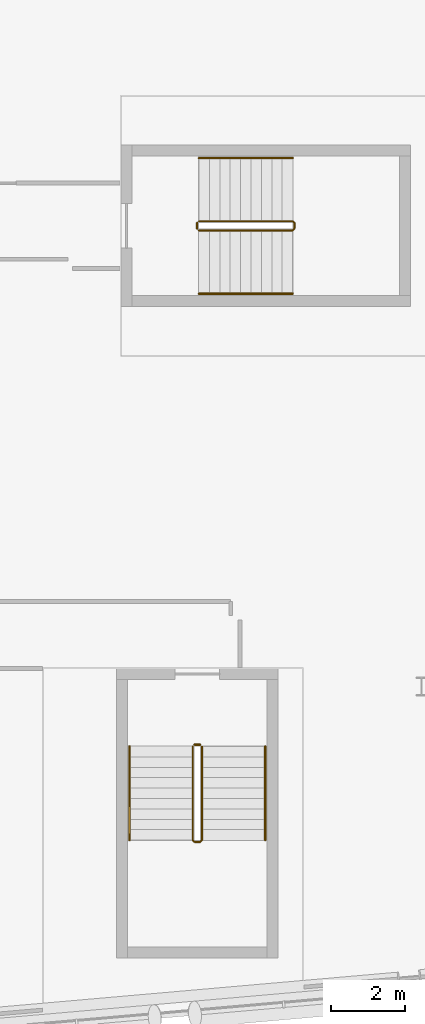
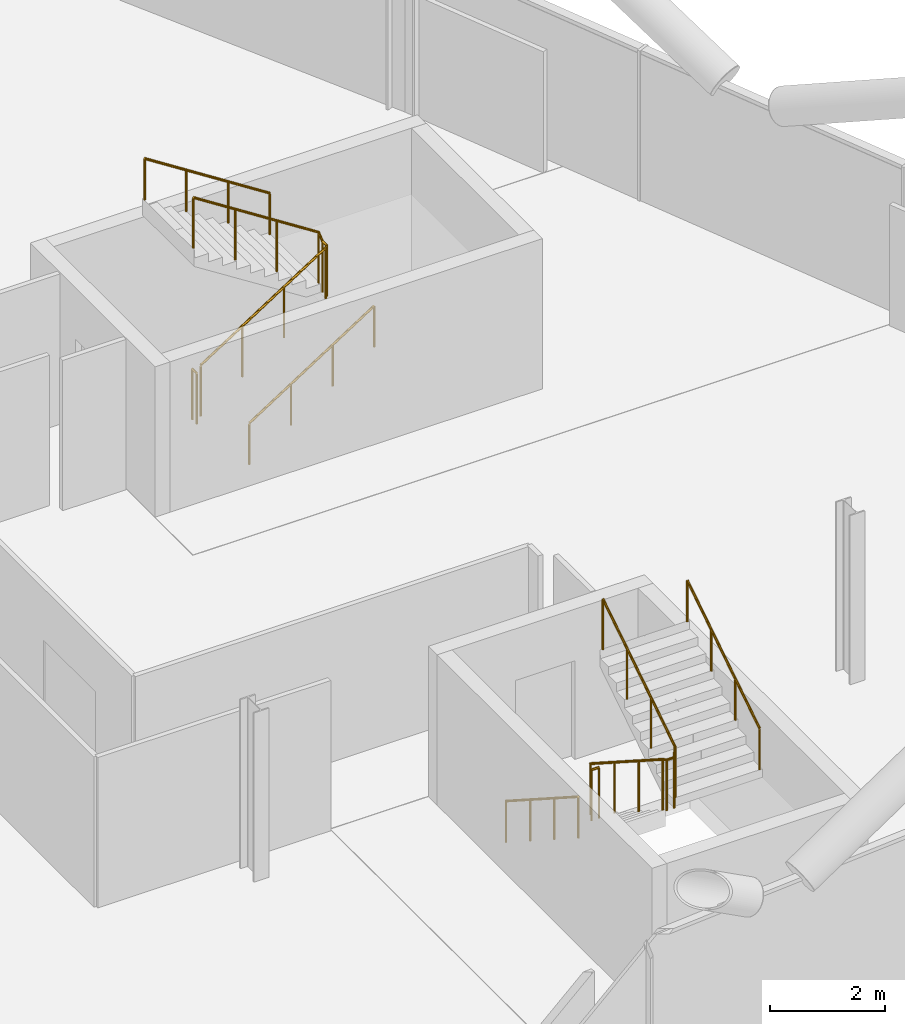
# One storey, part 25 of 26: 8 railings.
"""IFC4 building model written with IfcOpenShell, lengths in metres."""

from ifc_helpers import new_model, si_unit, direction, frame, origin, origin_2d, place, context, subcontext, project, spatial, circle, extrude, material, type_object, element, save


model = new_model("IFC4")

# Units and contexts
model_context = context("Model", 3, precision=1e-05, world=origin(), true_north=direction((0.0, 1.0)))
body_context = subcontext(model_context, "Body", "Model", "MODEL_VIEW")
ifc_project = project(units=[si_unit("LENGTHUNIT", "METRE"), si_unit("AREAUNIT", "SQUARE_METRE"), si_unit("VOLUMEUNIT", "CUBIC_METRE"), si_unit("PLANEANGLEUNIT", "RADIAN"), si_unit("MASSUNIT", "GRAM", prefix="KILO")], contexts=[model_context])

# Site, building, storey
site_placement = place(None, origin())
site = spatial("IfcSite", under=ifc_project, at=site_placement, CompositionType="ELEMENT")
building_placement = place(site_placement, origin())
building = spatial("IfcBuilding", under=site, at=building_placement, Name="Wharfspan Tower", CompositionType="ELEMENT")
storey_placement = place(building_placement, frame((0.0, 0.0, 180.699951)))
storey = spatial("IfcBuildingStorey", under=building, at=storey_placement, Name="L44", CompositionType="ELEMENT", Elevation=180.699951)

# Railings
ifc_material = material(Name="Steel S355J2", Category="steel")
railing_type_1 = type_object("IfcRailingType", Name="Stair guard 1100", PredefinedType="GUARDRAIL", material=ifc_material)
railing_1_placement = place(storey_placement, frame((65.836426, 9.883789, 0.179932)))
element("IfcRailing", 1, at=railing_1_placement, inside=storey, type_object=railing_type_1, Name="L44 ST5 stair guard 1", PredefinedType="GUARDRAIL", context=body_context, shape_type="SweptSolid", body=[
    extrude(circle(Radius=0.023926, at=origin_2d()), frame((0.0, 0.0, 1.076172), z_axis=(0.0, -0.841163, 0.540782), x_axis=(1.0, 0.0, 0.0)), (0.0, 0.0, 1.0), 2.99585),
    extrude(circle(Radius=0.023926, at=origin_2d()), frame((0.0, -2.52002, 2.696289), z_axis=(0.705376, -0.708834, 0.0), x_axis=(0.708834, 0.705376, 0.0)), (0.0, 0.0, 1.0), 0.070557),
    extrude(circle(Radius=0.023926, at=origin_2d()), frame((0.049805, -2.570068, 2.696289), z_axis=(1.0, 0.0, 0.0), x_axis=(0.0, 1.0, 0.0)), (0.0, 0.0, 1.0), 0.150146),
    extrude(circle(Radius=0.023926, at=origin_2d()), frame((0.199951, -2.570068, 2.696289), z_axis=(0.258848, 0.258848, 0.930589), x_axis=(-0.707107, 0.707107, 0.0)), (0.0, 0.0, 1.0), 0.193359),
    extrude(circle(Radius=0.023926, at=origin_2d()), frame((0.25, -2.52002, 2.875977), z_axis=(0.0, 0.841163, 0.540782), x_axis=(-1.0, 0.0, 0.0)), (0.0, 0.0, 1.0), 2.99585),
    extrude(circle(Radius=0.020996, at=origin_2d()), origin(), (0.0, 0.0, 1.0), 1.052002),
    extrude(circle(Radius=0.020996, at=origin_2d()), frame((0.0, -0.840088, 0.540039)), (0.0, 0.0, 1.0), 1.052002),
    extrude(circle(Radius=0.020996, at=origin_2d()), frame((0.0, -1.679932, 1.080078)), (0.0, 0.0, 1.0), 1.052002),
    extrude(circle(Radius=0.020996, at=origin_2d()), frame((0.0, -2.52002, 1.620117)), (0.0, 0.0, 1.0), 1.052002),
    extrude(circle(Radius=0.020996, at=origin_2d()), frame((0.049805, -2.570068, 1.620117)), (0.0, 0.0, 1.0), 1.052002),
    extrude(circle(Radius=0.020996, at=origin_2d()), frame((0.199951, -2.570068, 1.620117)), (0.0, 0.0, 1.0), 1.052002),
    extrude(circle(Radius=0.020996, at=origin_2d()), frame((0.25, -2.52002, 1.800049)), (0.0, 0.0, 1.0), 1.052002),
    extrude(circle(Radius=0.020996, at=origin_2d()), frame((0.25, -1.679932, 2.340088)), (0.0, 0.0, 1.0), 1.052002),
    extrude(circle(Radius=0.020996, at=origin_2d()), frame((0.25, -0.840088, 2.880127)), (0.0, 0.0, 1.0), 1.052002),
    extrude(circle(Radius=0.020996, at=origin_2d()), frame((0.25, 0.0, 3.420166)), (0.0, 0.0, 1.0), 1.052002),
])
railing_2_placement = place(storey_placement, frame((65.88623, 9.933594, 0.0)))
element("IfcRailing", 2, at=railing_2_placement, inside=storey, type_object=railing_type_1, Name="L44 ST5 stair guard 2", PredefinedType="GUARDRAIL", context=body_context, shape_type="SweptSolid", body=[
    extrude(circle(Radius=0.023926, at=origin_2d()), frame((0.0, 0.0, 1.076172), z_axis=(1.0, 0.0, 0.0), x_axis=(0.0, 1.0, 0.0)), (0.0, 0.0, 1.0), 0.150146),
    extrude(circle(Radius=0.020996, at=origin_2d()), origin(), (0.0, 0.0, 1.0), 1.052002),
    extrude(circle(Radius=0.020996, at=origin_2d()), frame((0.150146, 0.0, 0.0)), (0.0, 0.0, 1.0), 1.052002),
])
railing_3_placement = place(storey_placement, frame((66.004639, 23.774902, 0.179932)))
element("IfcRailing", 3, at=railing_3_placement, inside=storey, type_object=railing_type_1, Name="L44 ST6 stair guard 1", PredefinedType="GUARDRAIL", context=body_context, shape_type="SweptSolid", body=[
    extrude(circle(Radius=0.023926, at=origin_2d()), frame((0.0, 0.0, 1.076172), z_axis=(0.841163, 0.0, 0.540782), x_axis=(0.0, 1.0, 0.0)), (0.0, 0.0, 1.0), 2.99585),
    extrude(circle(Radius=0.023926, at=origin_2d()), frame((2.52002, 0.0, 2.696289), z_axis=(0.707107, 0.707107, 0.0), x_axis=(-0.707107, 0.707107, 0.0)), (0.0, 0.0, 1.0), 0.070801),
    extrude(circle(Radius=0.023926, at=origin_2d()), frame((2.570068, 0.050049, 2.696289), z_axis=(0.0, 1.0, 0.0), x_axis=(-1.0, 0.0, 0.0)), (0.0, 0.0, 1.0), 0.150146),
    extrude(circle(Radius=0.023926, at=origin_2d()), frame((2.570068, 0.200195, 2.696289), z_axis=(-0.258932, 0.257669, 0.930892), x_axis=(-0.705372, -0.708833, 1e-06)), (0.0, 0.0, 1.0), 0.193359),
    extrude(circle(Radius=0.023926, at=origin_2d()), frame((2.52002, 0.25, 2.875977), z_axis=(-0.841163, 0.0, 0.540782), x_axis=(0.0, -1.0, 0.0)), (0.0, 0.0, 1.0), 2.99585),
    extrude(circle(Radius=0.020996, at=origin_2d()), origin(), (0.0, 0.0, 1.0), 1.052002),
    extrude(circle(Radius=0.020996, at=origin_2d()), frame((0.840088, 0.0, 0.540039)), (0.0, 0.0, 1.0), 1.052002),
    extrude(circle(Radius=0.020996, at=origin_2d()), frame((1.679932, 0.0, 1.080078)), (0.0, 0.0, 1.0), 1.052002),
    extrude(circle(Radius=0.020996, at=origin_2d()), frame((2.52002, 0.0, 1.620117)), (0.0, 0.0, 1.0), 1.052002),
    extrude(circle(Radius=0.020996, at=origin_2d()), frame((2.570068, 0.050049, 1.620117)), (0.0, 0.0, 1.0), 1.052002),
    extrude(circle(Radius=0.020996, at=origin_2d()), frame((2.570068, 0.200195, 1.620117)), (0.0, 0.0, 1.0), 1.052002),
    extrude(circle(Radius=0.020996, at=origin_2d()), frame((2.52002, 0.25, 1.800049)), (0.0, 0.0, 1.0), 1.052002),
    extrude(circle(Radius=0.020996, at=origin_2d()), frame((1.679932, 0.25, 2.340088)), (0.0, 0.0, 1.0), 1.052002),
    extrude(circle(Radius=0.020996, at=origin_2d()), frame((0.840088, 0.25, 2.880127)), (0.0, 0.0, 1.0), 1.052002),
    extrude(circle(Radius=0.020996, at=origin_2d()), frame((0.0, 0.25, 3.420166)), (0.0, 0.0, 1.0), 1.052002),
])
railing_4_placement = place(storey_placement, frame((65.95459, 23.824951, 0.0)))
element("IfcRailing", 4, at=railing_4_placement, inside=storey, type_object=railing_type_1, Name="L44 ST6 stair guard 2", PredefinedType="GUARDRAIL", context=body_context, shape_type="SweptSolid", body=[
    extrude(circle(Radius=0.023926, at=origin_2d()), frame((0.0, 0.0, 1.076172), z_axis=(0.0, 1.0, 0.0), x_axis=(-1.0, 0.0, 0.0)), (0.0, 0.0, 1.0), 0.150146),
    extrude(circle(Radius=0.020996, at=origin_2d()), origin(), (0.0, 0.0, 1.0), 1.052002),
    extrude(circle(Radius=0.020996, at=origin_2d()), frame((0.0, 0.150146, 0.0)), (0.0, 0.0, 1.0), 1.052002),
])
railing_type_2 = type_object("IfcRailingType", Name="Stair handrail 900", PredefinedType="HANDRAIL", material=ifc_material)
railing_5_placement = place(storey_placement, frame((64.13623, 9.883789, 0.179932)))
element("IfcRailing", 5, at=railing_5_placement, inside=storey, type_object=railing_type_2, Name="L44 ST5 stair handrail 1", PredefinedType="HANDRAIL", context=body_context, shape_type="SweptSolid", body=[
    extrude(circle(Radius=0.023926, at=origin_2d()), frame((0.0, 0.0, 0.875977), z_axis=(0.0, -0.841163, 0.540782), x_axis=(1.0, 0.0, 0.0)), (0.0, 0.0, 1.0), 2.99585),
    extrude(circle(Radius=0.020996, at=origin_2d()), origin(), (0.0, 0.0, 1.0), 0.851807),
    extrude(circle(Radius=0.020996, at=origin_2d()), frame((0.0, -0.840088, 0.540039)), (0.0, 0.0, 1.0), 0.851807),
    extrude(circle(Radius=0.020996, at=origin_2d()), frame((0.0, -1.679932, 1.080078)), (0.0, 0.0, 1.0), 0.851807),
    extrude(circle(Radius=0.020996, at=origin_2d()), frame((0.0, -2.52002, 1.620117)), (0.0, 0.0, 1.0), 0.851807),
])
railing_6_placement = place(storey_placement, frame((67.786377, 7.36377, 1.97998)))
element("IfcRailing", 6, at=railing_6_placement, inside=storey, type_object=railing_type_2, Name="L44 ST5 stair handrail 2", PredefinedType="HANDRAIL", context=body_context, shape_type="SweptSolid", body=[
    extrude(circle(Radius=0.023926, at=origin_2d()), frame((0.0, 0.0, 0.875977), z_axis=(0.0, 0.841163, 0.540782), x_axis=(-1.0, 0.0, 0.0)), (0.0, 0.0, 1.0), 2.99585),
    extrude(circle(Radius=0.020996, at=origin_2d()), origin(), (0.0, 0.0, 1.0), 0.851807),
    extrude(circle(Radius=0.020996, at=origin_2d()), frame((0.0, 0.840088, 0.540039)), (0.0, 0.0, 1.0), 0.851807),
    extrude(circle(Radius=0.020996, at=origin_2d()), frame((0.0, 1.679932, 1.080078)), (0.0, 0.0, 1.0), 0.851807),
    extrude(circle(Radius=0.020996, at=origin_2d()), frame((0.0, 2.52002, 1.620117)), (0.0, 0.0, 1.0), 0.851807),
])
railing_7_placement = place(storey_placement, frame((66.004639, 22.074951, 0.179932)))
element("IfcRailing", 7, at=railing_7_placement, inside=storey, type_object=railing_type_2, Name="L44 ST6 stair handrail 1", PredefinedType="HANDRAIL", context=body_context, shape_type="SweptSolid", body=[
    extrude(circle(Radius=0.023926, at=origin_2d()), frame((0.0, 0.0, 0.875977), z_axis=(0.841163, 0.0, 0.540782), x_axis=(0.0, 1.0, 0.0)), (0.0, 0.0, 1.0), 2.99585),
    extrude(circle(Radius=0.020996, at=origin_2d()), origin(), (0.0, 0.0, 1.0), 0.851807),
    extrude(circle(Radius=0.020996, at=origin_2d()), frame((0.840088, 0.0, 0.540039)), (0.0, 0.0, 1.0), 0.851807),
    extrude(circle(Radius=0.020996, at=origin_2d()), frame((1.679932, 0.0, 1.080078)), (0.0, 0.0, 1.0), 0.851807),
    extrude(circle(Radius=0.020996, at=origin_2d()), frame((2.52002, 0.0, 1.620117)), (0.0, 0.0, 1.0), 0.851807),
])
railing_8_placement = place(storey_placement, frame((68.524658, 25.725098, 1.97998)))
element("IfcRailing", 8, at=railing_8_placement, inside=storey, type_object=railing_type_2, Name="L44 ST6 stair handrail 2", PredefinedType="HANDRAIL", context=body_context, shape_type="SweptSolid", body=[
    extrude(circle(Radius=0.023926, at=origin_2d()), frame((0.0, 0.0, 0.875977), z_axis=(-0.841163, 0.0, 0.540782), x_axis=(0.0, -1.0, 0.0)), (0.0, 0.0, 1.0), 2.99585),
    extrude(circle(Radius=0.020996, at=origin_2d()), origin(), (0.0, 0.0, 1.0), 0.851807),
    extrude(circle(Radius=0.020996, at=origin_2d()), frame((-0.840088, 0.0, 0.540039)), (0.0, 0.0, 1.0), 0.851807),
    extrude(circle(Radius=0.020996, at=origin_2d()), frame((-1.679932, 0.0, 1.080078)), (0.0, 0.0, 1.0), 0.851807),
    extrude(circle(Radius=0.020996, at=origin_2d()), frame((-2.52002, 0.0, 1.620117)), (0.0, 0.0, 1.0), 0.851807),
])

save(model, "model.ifc")
